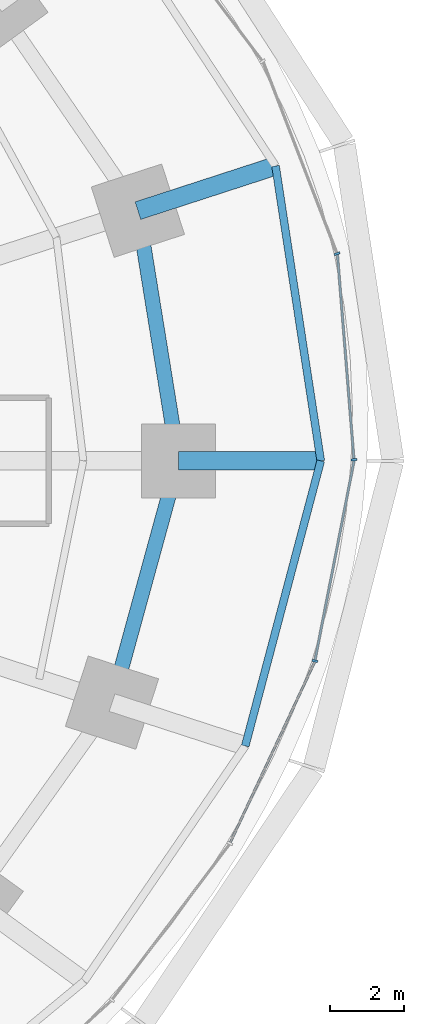
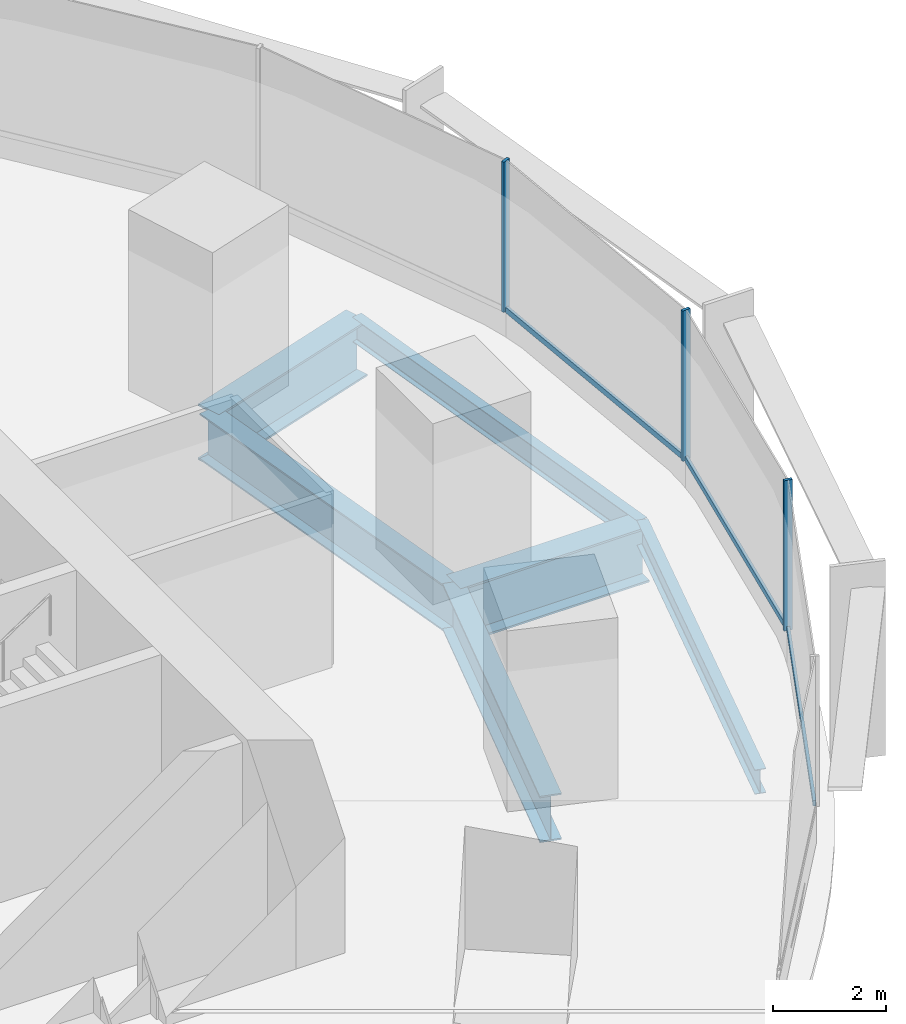
# One storey, part 6 of 15: 6 beams, 6 members, 2 elements without a shape of their own.
"""IFC4 building model written with IfcOpenShell, lengths in metres."""

from ifc_helpers import new_model, si_unit, direction, frame, origin, origin_2d, place, context, subcontext, project, spatial, rectangle, i_section, extrude, material, material_profile, profile_set, type_object, element, aggregate, save


model = new_model("IFC4")

# Units and contexts
model_context = context("Model", 3, precision=1e-05, world=origin(), true_north=direction((0.0, 1.0)))
body_context = subcontext(model_context, "Body", "Model", "MODEL_VIEW")
ifc_project = project(units=[si_unit("LENGTHUNIT", "METRE"), si_unit("AREAUNIT", "SQUARE_METRE"), si_unit("VOLUMEUNIT", "CUBIC_METRE"), si_unit("PLANEANGLEUNIT", "RADIAN"), si_unit("MASSUNIT", "GRAM", prefix="KILO")], contexts=[model_context])

# Site, building, storey
site_placement = place(None, origin())
site = spatial("IfcSite", under=ifc_project, at=site_placement, CompositionType="ELEMENT")
building_placement = place(site_placement, origin())
building = spatial("IfcBuilding", under=site, at=building_placement, Name="Marramba Exchange Tower", CompositionType="ELEMENT")
storey_placement = place(building_placement, frame((0.0, 0.0, 23.800048828125)))
storey = spatial("IfcBuildingStorey", under=building, at=storey_placement, Name="L05", CompositionType="ELEMENT", Elevation=23.800048828125)

# Beams
ifc_material_1 = material(Name="Steel AS/NZS 3679.2 grade 300", Category="steel")
ifc_material_profile_1 = material_profile(ifc_material_1, i_section(OverallWidth=0.5, OverallDepth=1.199951171875, WebThickness=0.01611328125, FlangeThickness=0.0400390625, at=origin_2d()), Name="1200WB455")
ifc_profile_set_1 = profile_set([ifc_material_profile_1], Name="Steel AS/NZS 3679.2 grade 300")
beam_type_1 = type_object("IfcBeamType", Name="Cantilever girder 1200WB455", PredefinedType="BEAM", material=ifc_profile_set_1)
beam_1_placement = place(storey_placement, frame((21.89990234375, 0.0, -0.760009765625), z_axis=(1.0, 0.0, 0.0), x_axis=(0.0, 1.0, 0.0)))
element("IfcBeam", 1, at=beam_1_placement, inside=storey, type_object=beam_type_1, Name="Cantilever girder L05 TC01", PredefinedType="BEAM", context=body_context, shape_type="SweptSolid", body=[
    extrude(i_section(OverallWidth=0.5, OverallDepth=1.199951171875, WebThickness=0.01611328125, FlangeThickness=0.0400390625, at=origin_2d()), origin(), (0.0, 0.0, 1.0), 3.85009765625),
])
beam_2_placement = place(storey_placement, frame((20.808349609375, 6.760986328125, -0.760009765625), z_axis=(0.951058833549, 0.309009862508, 0.0), x_axis=(-0.309009862508, 0.951058833549, 0.0)))
element("IfcBeam", 2, at=beam_2_placement, inside=storey, type_object=beam_type_1, Name="Cantilever girder L05 TC02", PredefinedType="BEAM", context=body_context, shape_type="SweptSolid", body=[
    extrude(i_section(OverallWidth=0.5, OverallDepth=1.199951171875, WebThickness=0.01611328125, FlangeThickness=0.0400390625, at=origin_2d()), origin(), (0.0, 0.0, 1.0), 3.91162109375),
])
ifc_material_profile_2 = material_profile(ifc_material_1, i_section(OverallWidth=0.39990234375, OverallDepth=1.0, WebThickness=0.01611328125, FlangeThickness=0.031982421875, at=origin_2d()), Name="1000WB322")
ifc_profile_set_2 = profile_set([ifc_material_profile_2], Name="Steel AS/NZS 3679.2 grade 300")
beam_type_2 = type_object("IfcBeamType", Name="Ring beam 1000WB322", PredefinedType="SPANDREL", material=ifc_profile_set_2)
beam_3_placement = place(storey_placement, frame((21.89990234375, 0.0, -0.66015625), z_axis=(-0.159384865399, 0.987216523708, 0.0), x_axis=(-0.987216523708, -0.159384865399, 0.0)))
element("IfcBeam", 3, at=beam_3_placement, inside=storey, type_object=beam_type_2, Name="Ring beam L05 TC01-TC02", PredefinedType="SPANDREL", context=body_context, shape_type="SweptSolid", body=[
    extrude(i_section(OverallWidth=0.39990234375, OverallDepth=1.0, WebThickness=0.01611328125, FlangeThickness=0.031982421875, at=origin_2d()), origin(), (0.0, 0.0, 1.0), 6.8486328125),
])
beam_4_placement = place(storey_placement, frame((20.109375, -6.533935546875, -0.66015625), z_axis=(0.264291166956, 0.964442937176, 0.0), x_axis=(-0.964442937176, 0.264291166956, 0.0)))
element("IfcBeam", 4, at=beam_4_placement, inside=storey, type_object=beam_type_2, Name="Ring beam L05 TC20-TC01", PredefinedType="SPANDREL", context=body_context, shape_type="SweptSolid", body=[
    extrude(i_section(OverallWidth=0.39990234375, OverallDepth=1.0, WebThickness=0.01611328125, FlangeThickness=0.031982421875, at=origin_2d()), origin(), (0.0, 0.0, 1.0), 6.77490234375),
])
ifc_material_2 = material(Name="Steel AS/NZS 3679.1 grade 300", Category="steel")
ifc_material_profile_3 = material_profile(ifc_material_2, i_section(OverallWidth=0.208984375, OverallDepth=0.528076171875, WebThickness=0.009521484375, FlangeThickness=0.01318359375, FilletRadius=0.013916015625, at=origin_2d()), Name="530UB82.0")
ifc_profile_set_3 = profile_set([ifc_material_profile_3], Name="Steel AS/NZS 3679.1 grade 300")
beam_type_3 = type_object("IfcBeamType", Name="Slab edge beam 530UB82.0", PredefinedType="SPANDREL", material=ifc_profile_set_3)
beam_5_placement = place(storey_placement, frame((25.75, 0.0, -0.424072265625), z_axis=(-0.151490591645, 0.988458699513, 0.0), x_axis=(-0.988458699513, -0.151490591645, 0.0)))
element("IfcBeam", 5, at=beam_5_placement, inside=storey, type_object=beam_type_3, Name="Slab edge beam L05 TC01-TC02", PredefinedType="SPANDREL", context=body_context, shape_type="SweptSolid", body=[
    extrude(i_section(OverallWidth=0.208984375, OverallDepth=0.528076171875, WebThickness=0.009521484375, FlangeThickness=0.01318359375, FilletRadius=0.013916015625, at=origin_2d()), origin(), (0.0, 0.0, 1.0), 8.062744140625),
])
beam_6_placement = place(storey_placement, frame((23.709716796875, -7.703857421875, -0.424072265625), z_axis=(0.25601296674, 0.966673347549, 0.0), x_axis=(-0.966673347549, 0.25601296674, 0.0)))
element("IfcBeam", 6, at=beam_6_placement, inside=storey, type_object=beam_type_3, Name="Slab edge beam L05 TC20-TC01", PredefinedType="SPANDREL", context=body_context, shape_type="SweptSolid", body=[
    extrude(i_section(OverallWidth=0.208984375, OverallDepth=0.528076171875, WebThickness=0.009521484375, FlangeThickness=0.01318359375, FilletRadius=0.013916015625, at=origin_2d()), origin(), (0.0, 0.0, 1.0), 7.969482421875),
])

# Curtain wall, members
ifc_material_3 = material(Name="Aluminium framing, bronze anodised", Category="aluminium")
curtain_wall_type = type_object("IfcCurtainWallType", Name="Trading floor ribbon curtain wall", PredefinedType="USERDEFINED", material=ifc_material_3)
curtain_wall_1_placement = place(storey_placement, origin())
curtain_wall_1 = element("IfcCurtainWall", 7, at=curtain_wall_1_placement, inside=storey, type_object=curtain_wall_type, Name="Curtain wall CW3 L05 F01-F05", ObjectType="RIBBON CURTAIN WALL", PredefinedType="USERDEFINED")
ifc_material_4 = material(Name="Aluminium mullion, bronze anodised", Category="aluminium")
ifc_material_profile_4 = material_profile(ifc_material_4, rectangle(XDim=0.159912109375, YDim=0.06005859375, at=origin_2d()), Name="CW3 mullion 60x160")
ifc_profile_set_4 = profile_set([ifc_material_profile_4], Name="Aluminium mullion, bronze anodised")
member_type_1 = type_object("IfcMemberType", Name="Trading floor ribbon curtain wall mullion", PredefinedType="MULLION", material=ifc_profile_set_4)
member_1_placement = place(storey_placement, frame((26.647705078125, 0.02978515625, 0.800048828125), z_axis=(0.0, 0.0, 1.0), x_axis=(-0.996772736434, -0.080275225953, 0.0)))
member_1 = element("IfcMember", 8, at=member_1_placement, type_object=member_type_1, Name="CW3 mullion 1", PredefinedType="MULLION", context=body_context, shape_type="SweptSolid", body=[
    extrude(rectangle(XDim=0.159912109375, YDim=0.06005859375, at=origin_2d()), origin(), (0.0, 0.0, 1.0), 3.239990234375),
])
member_2_placement = place(storey_placement, frame((26.190673828125, 5.597412109375, 0.800048828125), z_axis=(0.0, 0.0, 1.0), x_axis=(-0.933135256626, -0.359525510698, 0.0)))
member_2 = element("IfcMember", 9, at=member_2_placement, type_object=member_type_1, Name="CW3 mullion 1", PredefinedType="MULLION", context=body_context, shape_type="SweptSolid", body=[
    extrude(rectangle(XDim=0.159912109375, YDim=0.06005859375, at=origin_2d()), origin(), (0.0, 0.0, 1.0), 3.239990234375),
])

# Curtain wall, member
curtain_wall_2_placement = place(storey_placement, origin())
curtain_wall_2 = element("IfcCurtainWall", 10, at=curtain_wall_2_placement, inside=storey, type_object=curtain_wall_type, Name="Curtain wall CW3 L05 F26-F30", ObjectType="RIBBON CURTAIN WALL", PredefinedType="USERDEFINED")
member_3_placement = place(storey_placement, frame((25.59033203125, -5.40869140625, 0.800048828125), z_axis=(0.0, 0.0, 1.0), x_axis=(-0.981346261612, 0.1922485756, 0.0)))
member_3 = element("IfcMember", 11, at=member_3_placement, type_object=member_type_1, Name="CW3 mullion 1", PredefinedType="MULLION", context=body_context, shape_type="SweptSolid", body=[
    extrude(rectangle(XDim=0.159912109375, YDim=0.06005859375, at=origin_2d()), origin(), (0.0, 0.0, 1.0), 3.239990234375),
])

# Member
ifc_material_5 = material(Name="Aluminium transom, bronze anodised", Category="aluminium")
ifc_material_profile_5 = material_profile(ifc_material_5, rectangle(XDim=0.06005859375, YDim=0.1201171875, at=origin_2d()), Name="CW3 transom 60x120")
ifc_profile_set_5 = profile_set([ifc_material_profile_5], Name="Aluminium transom, bronze anodised")
member_type_2 = type_object("IfcMemberType", Name="Trading floor ribbon curtain wall transom", PredefinedType="USERDEFINED", material=ifc_profile_set_5)
member_4_placement = place(storey_placement, frame((26.645263671875, 0.059814453125, 0.829833984375), z_axis=(-0.080299960686, 0.99677074411, 0.0), x_axis=(-0.99677074411, -0.080299960686, 0.0)))
member_4 = element("IfcMember", 12, at=member_4_placement, type_object=member_type_2, Name="CW3 sill transom", ObjectType="TRANSOM", PredefinedType="USERDEFINED", context=body_context, shape_type="SweptSolid", body=[
    extrude(rectangle(XDim=0.06005859375, YDim=0.1201171875, at=origin_2d()), origin(), (0.0, 0.0, 1.0), 5.52734375),
])

aggregate(curtain_wall_1, [member_1, member_4, member_2])

member_5_placement = place(storey_placement, frame((23.306640625, -10.31103515625, 0.829833984375), z_axis=(0.423511514213, 0.905890720412, 0.0), x_axis=(-0.905890720412, 0.423511514213, 0.0)))
member_5 = element("IfcMember", 13, at=member_5_placement, type_object=member_type_2, Name="CW3 sill transom", ObjectType="TRANSOM", PredefinedType="USERDEFINED", context=body_context, shape_type="SweptSolid", body=[
    extrude(rectangle(XDim=0.06005859375, YDim=0.1201171875, at=origin_2d()), origin(), (0.0, 0.0, 1.0), 5.37890625),
])

member_6_placement = place(storey_placement, frame((25.59619140625, -5.37939453125, 0.829833984375), z_axis=(0.192226081646, 0.981350667975, 0.0), x_axis=(-0.981350667975, 0.192226081646, 0.0)))
member_6 = element("IfcMember", 14, at=member_6_placement, type_object=member_type_2, Name="CW3 sill transom", ObjectType="TRANSOM", PredefinedType="USERDEFINED", context=body_context, shape_type="SweptSolid", body=[
    extrude(rectangle(XDim=0.06005859375, YDim=0.1201171875, at=origin_2d()), origin(), (0.0, 0.0, 1.0), 5.481689453125),
])

aggregate(curtain_wall_2, [member_5, member_3, member_6])

save(model, "model.ifc")
